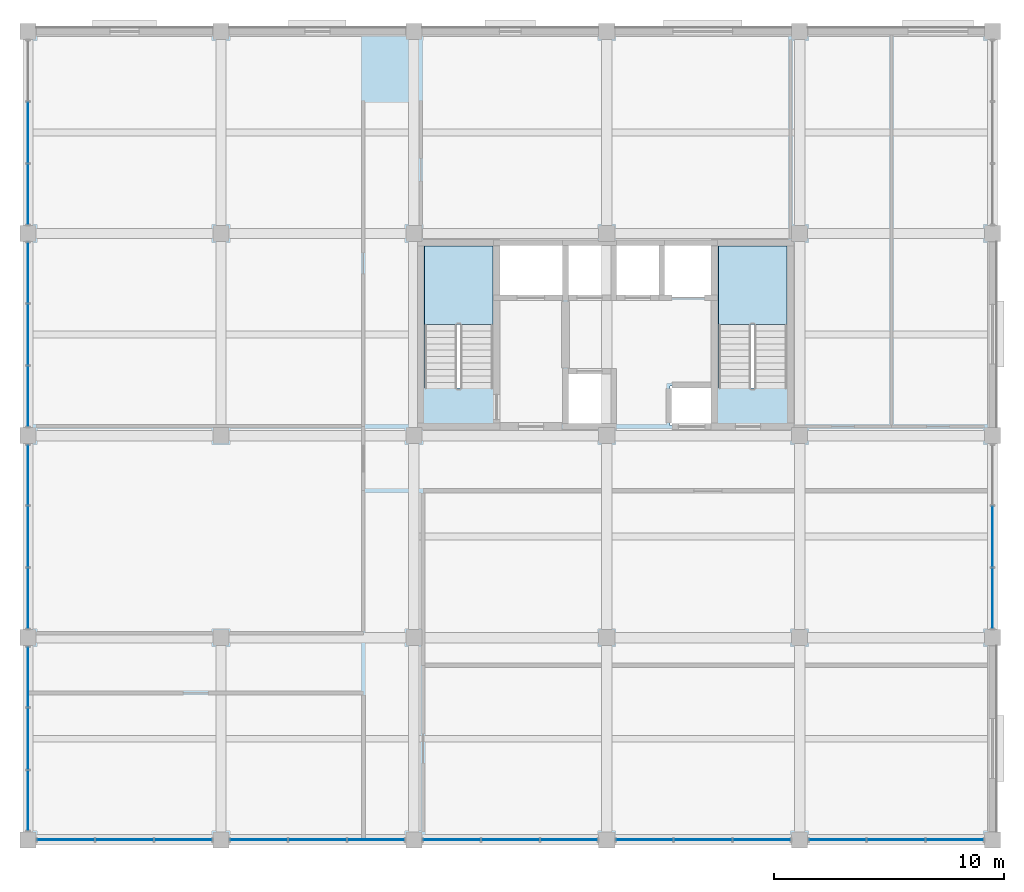
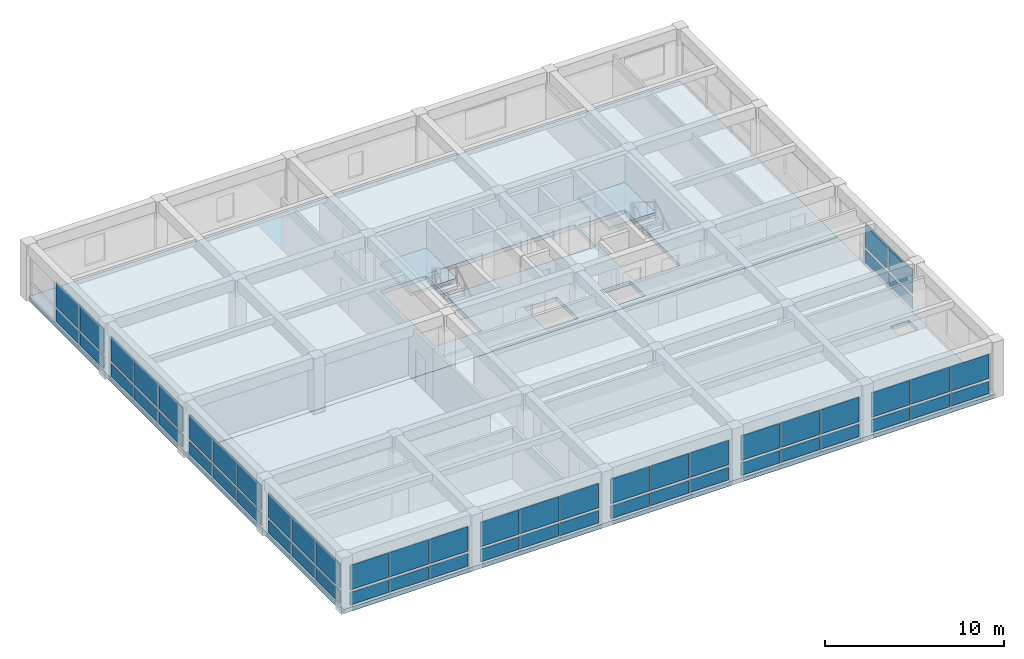
# One storey, part 8 of 13: 56 plates, 4 slabs, 12 elements without a shape of their own.
"""IFC4 building model written with IfcOpenShell, lengths in metres."""

from ifc_helpers import new_model, si_unit, direction, frame, origin, origin_2d, place, context, subcontext, project, spatial, polyline, rectangle, outline, extrude, material, layer, layer_set, type_object, element, aggregate, save


model = new_model("IFC4")

# Units and contexts
model_context = context("Model", 3, precision=1e-05, world=origin(), true_north=direction((0.0, 1.0)))
body_context = subcontext(model_context, "Body", "Model", "MODEL_VIEW")
ifc_project = project(units=[si_unit("LENGTHUNIT", "METRE"), si_unit("AREAUNIT", "SQUARE_METRE"), si_unit("VOLUMEUNIT", "CUBIC_METRE"), si_unit("PLANEANGLEUNIT", "RADIAN"), si_unit("MASSUNIT", "GRAM", prefix="KILO")], contexts=[model_context])

# Site, building, storey
site_placement = place(None, origin())
site = spatial("IfcSite", under=ifc_project, at=site_placement, CompositionType="ELEMENT")
building_placement = place(site_placement, origin())
building = spatial("IfcBuilding", under=site, at=building_placement, Name="Kemercrest Conservatory and Botanical Centre", CompositionType="ELEMENT")
storey_placement = place(building_placement, frame((0.0, 0.0, 36.800048828125)))
storey = spatial("IfcBuildingStorey", under=building, at=storey_placement, Name="L09", CompositionType="ELEMENT", Elevation=36.800048828125)

# Curtain wall, plates
ifc_material_1 = material(Name="Thermally broken aluminium and triple low-e glazing", Category="aluminium")
curtain_wall_type_1 = type_object("IfcCurtainWallType", Name="CW-11", PredefinedType="USERDEFINED", material=ifc_material_1)
curtain_wall_1_placement = place(storey_placement, origin())
curtain_wall_1 = element("IfcCurtainWall", 1, at=curtain_wall_1_placement, inside=storey, type_object=curtain_wall_type_1, Name="Unitised curtain wall CW-11 (CW:L09:V4-100)", ObjectType="UNITISED CURTAIN WALL", PredefinedType="USERDEFINED")
ifc_material_2 = material(Name="Triple low-e argon insulated glazing unit", Category="glass")
ifc_layer_1 = layer(ifc_material_2, 0.035888671875)
ifc_layer_set_1 = layer_set([ifc_layer_1], Name="Triple low-e argon insulated glazing unit")
plate_type = type_object("IfcPlateType", Name="CW-PNL036", PredefinedType="CURTAIN_PANEL", material=ifc_layer_set_1)
plate_1_placement = place(storey_placement, frame((135.646240234375, 87.199951171875, 0.179931640625), z_axis=(0.0, 0.0, 1.0), x_axis=(1.0, 0.0, 0.0)))
plate_1 = element("IfcPlate", 2, at=plate_1_placement, type_object=plate_type, Name="CW-11 panel 1.1", PredefinedType="CURTAIN_PANEL", context=body_context, shape_type="SweptSolid", body=[
    extrude(rectangle(XDim=2.472412109375, YDim=0.035888671875, at=origin_2d()), origin(), (0.0, 0.0, 1.0), 0.85009765625),
])
plate_2_placement = place(storey_placement, frame((135.646240234375, 87.199951171875, 1.2099609375), z_axis=(0.0, 0.0, 1.0), x_axis=(1.0, 0.0, 0.0)))
plate_2 = element("IfcPlate", 3, at=plate_2_placement, type_object=plate_type, Name="CW-11 panel 1.2", PredefinedType="CURTAIN_PANEL", context=body_context, shape_type="SweptSolid", body=[
    extrude(rectangle(XDim=2.472412109375, YDim=0.035888671875, at=origin_2d()), origin(), (0.0, 0.0, 1.0), 1.6650390625),
])
plate_3_placement = place(storey_placement, frame((138.199951171875, 87.199951171875, 0.179931640625), z_axis=(0.0, 0.0, 1.0), x_axis=(1.0, 0.0, 0.0)))
plate_3 = element("IfcPlate", 4, at=plate_3_placement, type_object=plate_type, Name="CW-11 panel 2.1", PredefinedType="CURTAIN_PANEL", context=body_context, shape_type="SweptSolid", body=[
    extrude(rectangle(XDim=2.5048828125, YDim=0.035888671875, at=origin_2d()), origin(), (0.0, 0.0, 1.0), 0.85009765625),
])
plate_4_placement = place(storey_placement, frame((138.199951171875, 87.199951171875, 1.2099609375), z_axis=(0.0, 0.0, 1.0), x_axis=(1.0, 0.0, 0.0)))
plate_4 = element("IfcPlate", 5, at=plate_4_placement, type_object=plate_type, Name="CW-11 panel 2.2", PredefinedType="CURTAIN_PANEL", context=body_context, shape_type="SweptSolid", body=[
    extrude(rectangle(XDim=2.5048828125, YDim=0.035888671875, at=origin_2d()), origin(), (0.0, 0.0, 1.0), 1.6650390625),
])
plate_5_placement = place(storey_placement, frame((140.753662109375, 87.199951171875, 0.179931640625), z_axis=(0.0, 0.0, 1.0), x_axis=(1.0, 0.0, 0.0)))
plate_5 = element("IfcPlate", 6, at=plate_5_placement, type_object=plate_type, Name="CW-11 panel 3.1", PredefinedType="CURTAIN_PANEL", context=body_context, shape_type="SweptSolid", body=[
    extrude(rectangle(XDim=2.472412109375, YDim=0.035888671875, at=origin_2d()), origin(), (0.0, 0.0, 1.0), 0.85009765625),
])
plate_6_placement = place(storey_placement, frame((140.753662109375, 87.199951171875, 1.2099609375), z_axis=(0.0, 0.0, 1.0), x_axis=(1.0, 0.0, 0.0)))
plate_6 = element("IfcPlate", 7, at=plate_6_placement, type_object=plate_type, Name="CW-11 panel 3.2", PredefinedType="CURTAIN_PANEL", context=body_context, shape_type="SweptSolid", body=[
    extrude(rectangle(XDim=2.472412109375, YDim=0.035888671875, at=origin_2d()), origin(), (0.0, 0.0, 1.0), 1.6650390625),
])
aggregate(curtain_wall_1, [plate_1, plate_2, plate_3, plate_4, plate_5, plate_6])

curtain_wall_type_2 = type_object("IfcCurtainWallType", Name="CW-12", PredefinedType="USERDEFINED", material=ifc_material_1)
curtain_wall_2_placement = place(storey_placement, origin())
curtain_wall_2 = element("IfcCurtainWall", 8, at=curtain_wall_2_placement, inside=storey, type_object=curtain_wall_type_2, Name="Unitised curtain wall CW-12 (CW:L09:V4-101)", ObjectType="UNITISED CURTAIN WALL", PredefinedType="USERDEFINED")
plate_7_placement = place(storey_placement, frame((144.046142578125, 87.199951171875, 0.179931640625), z_axis=(0.0, 0.0, 1.0), x_axis=(1.0, 0.0, 0.0)))
plate_7 = element("IfcPlate", 9, at=plate_7_placement, type_object=plate_type, Name="CW-12 panel 1.1", PredefinedType="CURTAIN_PANEL", context=body_context, shape_type="SweptSolid", body=[
    extrude(rectangle(XDim=2.472412109375, YDim=0.035888671875, at=origin_2d()), origin(), (0.0, 0.0, 1.0), 0.85009765625),
])
plate_8_placement = place(storey_placement, frame((144.046142578125, 87.199951171875, 1.2099609375), z_axis=(0.0, 0.0, 1.0), x_axis=(1.0, 0.0, 0.0)))
plate_8 = element("IfcPlate", 10, at=plate_8_placement, type_object=plate_type, Name="CW-12 panel 1.2", PredefinedType="CURTAIN_PANEL", context=body_context, shape_type="SweptSolid", body=[
    extrude(rectangle(XDim=2.472412109375, YDim=0.035888671875, at=origin_2d()), origin(), (0.0, 0.0, 1.0), 1.6650390625),
])
plate_9_placement = place(storey_placement, frame((146.60009765625, 87.199951171875, 0.179931640625), z_axis=(0.0, 0.0, 1.0), x_axis=(1.0, 0.0, 0.0)))
plate_9 = element("IfcPlate", 11, at=plate_9_placement, type_object=plate_type, Name="CW-12 panel 2.1", PredefinedType="CURTAIN_PANEL", context=body_context, shape_type="SweptSolid", body=[
    extrude(rectangle(XDim=2.5048828125, YDim=0.035888671875, at=origin_2d()), origin(), (0.0, 0.0, 1.0), 0.85009765625),
])
plate_10_placement = place(storey_placement, frame((146.60009765625, 87.199951171875, 1.2099609375), z_axis=(0.0, 0.0, 1.0), x_axis=(1.0, 0.0, 0.0)))
plate_10 = element("IfcPlate", 12, at=plate_10_placement, type_object=plate_type, Name="CW-12 panel 2.2", PredefinedType="CURTAIN_PANEL", context=body_context, shape_type="SweptSolid", body=[
    extrude(rectangle(XDim=2.5048828125, YDim=0.035888671875, at=origin_2d()), origin(), (0.0, 0.0, 1.0), 1.6650390625),
])
plate_11_placement = place(storey_placement, frame((149.15380859375, 87.199951171875, 0.179931640625), z_axis=(0.0, 0.0, 1.0), x_axis=(1.0, 0.0, 0.0)))
plate_11 = element("IfcPlate", 13, at=plate_11_placement, type_object=plate_type, Name="CW-12 panel 3.1", PredefinedType="CURTAIN_PANEL", context=body_context, shape_type="SweptSolid", body=[
    extrude(rectangle(XDim=2.472412109375, YDim=0.035888671875, at=origin_2d()), origin(), (0.0, 0.0, 1.0), 0.85009765625),
])
plate_12_placement = place(storey_placement, frame((149.15380859375, 87.199951171875, 1.2099609375), z_axis=(0.0, 0.0, 1.0), x_axis=(1.0, 0.0, 0.0)))
plate_12 = element("IfcPlate", 14, at=plate_12_placement, type_object=plate_type, Name="CW-12 panel 3.2", PredefinedType="CURTAIN_PANEL", context=body_context, shape_type="SweptSolid", body=[
    extrude(rectangle(XDim=2.472412109375, YDim=0.035888671875, at=origin_2d()), origin(), (0.0, 0.0, 1.0), 1.6650390625),
])
aggregate(curtain_wall_2, [plate_7, plate_8, plate_9, plate_10, plate_11, plate_12])

curtain_wall_type_3 = type_object("IfcCurtainWallType", Name="CW-13", PredefinedType="USERDEFINED", material=ifc_material_1)
curtain_wall_3_placement = place(storey_placement, origin())
curtain_wall_3 = element("IfcCurtainWall", 15, at=curtain_wall_3_placement, inside=storey, type_object=curtain_wall_type_3, Name="Unitised curtain wall CW-13 (CW:L09:V4-102)", ObjectType="UNITISED CURTAIN WALL", PredefinedType="USERDEFINED")
plate_13_placement = place(storey_placement, frame((152.4462890625, 87.199951171875, 0.179931640625), z_axis=(0.0, 0.0, 1.0), x_axis=(1.0, 0.0, 0.0)))
plate_13 = element("IfcPlate", 16, at=plate_13_placement, type_object=plate_type, Name="CW-13 panel 1.1", PredefinedType="CURTAIN_PANEL", context=body_context, shape_type="SweptSolid", body=[
    extrude(rectangle(XDim=2.472412109375, YDim=0.035888671875, at=origin_2d()), origin(), (0.0, 0.0, 1.0), 0.85009765625),
])
plate_14_placement = place(storey_placement, frame((152.4462890625, 87.199951171875, 1.2099609375), z_axis=(0.0, 0.0, 1.0), x_axis=(1.0, 0.0, 0.0)))
plate_14 = element("IfcPlate", 17, at=plate_14_placement, type_object=plate_type, Name="CW-13 panel 1.2", PredefinedType="CURTAIN_PANEL", context=body_context, shape_type="SweptSolid", body=[
    extrude(rectangle(XDim=2.472412109375, YDim=0.035888671875, at=origin_2d()), origin(), (0.0, 0.0, 1.0), 1.6650390625),
])
plate_15_placement = place(storey_placement, frame((155.0, 87.199951171875, 0.179931640625), z_axis=(0.0, 0.0, 1.0), x_axis=(1.0, 0.0, 0.0)))
plate_15 = element("IfcPlate", 18, at=plate_15_placement, type_object=plate_type, Name="CW-13 panel 2.1", PredefinedType="CURTAIN_PANEL", context=body_context, shape_type="SweptSolid", body=[
    extrude(rectangle(XDim=2.5048828125, YDim=0.035888671875, at=origin_2d()), origin(), (0.0, 0.0, 1.0), 0.85009765625),
])
plate_16_placement = place(storey_placement, frame((155.0, 87.199951171875, 1.2099609375), z_axis=(0.0, 0.0, 1.0), x_axis=(1.0, 0.0, 0.0)))
plate_16 = element("IfcPlate", 19, at=plate_16_placement, type_object=plate_type, Name="CW-13 panel 2.2", PredefinedType="CURTAIN_PANEL", context=body_context, shape_type="SweptSolid", body=[
    extrude(rectangle(XDim=2.5048828125, YDim=0.035888671875, at=origin_2d()), origin(), (0.0, 0.0, 1.0), 1.6650390625),
])
plate_17_placement = place(storey_placement, frame((157.5537109375, 87.199951171875, 0.179931640625), z_axis=(0.0, 0.0, 1.0), x_axis=(1.0, 0.0, 0.0)))
plate_17 = element("IfcPlate", 20, at=plate_17_placement, type_object=plate_type, Name="CW-13 panel 3.1", PredefinedType="CURTAIN_PANEL", context=body_context, shape_type="SweptSolid", body=[
    extrude(rectangle(XDim=2.472412109375, YDim=0.035888671875, at=origin_2d()), origin(), (0.0, 0.0, 1.0), 0.85009765625),
])
plate_18_placement = place(storey_placement, frame((157.5537109375, 87.199951171875, 1.2099609375), z_axis=(0.0, 0.0, 1.0), x_axis=(1.0, 0.0, 0.0)))
plate_18 = element("IfcPlate", 21, at=plate_18_placement, type_object=plate_type, Name="CW-13 panel 3.2", PredefinedType="CURTAIN_PANEL", context=body_context, shape_type="SweptSolid", body=[
    extrude(rectangle(XDim=2.472412109375, YDim=0.035888671875, at=origin_2d()), origin(), (0.0, 0.0, 1.0), 1.6650390625),
])
aggregate(curtain_wall_3, [plate_13, plate_14, plate_15, plate_16, plate_17, plate_18])

curtain_wall_type_4 = type_object("IfcCurtainWallType", Name="CW-14", PredefinedType="USERDEFINED", material=ifc_material_1)
curtain_wall_4_placement = place(storey_placement, origin())
curtain_wall_4 = element("IfcCurtainWall", 22, at=curtain_wall_4_placement, inside=storey, type_object=curtain_wall_type_4, Name="Unitised curtain wall CW-14 (CW:L09:V4-103)", ObjectType="UNITISED CURTAIN WALL", PredefinedType="USERDEFINED")
plate_19_placement = place(storey_placement, frame((160.84619140625, 87.199951171875, 0.179931640625), z_axis=(0.0, 0.0, 1.0), x_axis=(1.0, 0.0, 0.0)))
plate_19 = element("IfcPlate", 23, at=plate_19_placement, type_object=plate_type, Name="CW-14 panel 1.1", PredefinedType="CURTAIN_PANEL", context=body_context, shape_type="SweptSolid", body=[
    extrude(rectangle(XDim=2.472412109375, YDim=0.035888671875, at=origin_2d()), origin(), (0.0, 0.0, 1.0), 0.85009765625),
])
plate_20_placement = place(storey_placement, frame((160.84619140625, 87.199951171875, 1.2099609375), z_axis=(0.0, 0.0, 1.0), x_axis=(1.0, 0.0, 0.0)))
plate_20 = element("IfcPlate", 24, at=plate_20_placement, type_object=plate_type, Name="CW-14 panel 1.2", PredefinedType="CURTAIN_PANEL", context=body_context, shape_type="SweptSolid", body=[
    extrude(rectangle(XDim=2.472412109375, YDim=0.035888671875, at=origin_2d()), origin(), (0.0, 0.0, 1.0), 1.6650390625),
])
plate_21_placement = place(storey_placement, frame((163.39990234375, 87.199951171875, 0.179931640625), z_axis=(0.0, 0.0, 1.0), x_axis=(1.0, 0.0, 0.0)))
plate_21 = element("IfcPlate", 25, at=plate_21_placement, type_object=plate_type, Name="CW-14 panel 2.1", PredefinedType="CURTAIN_PANEL", context=body_context, shape_type="SweptSolid", body=[
    extrude(rectangle(XDim=2.5048828125, YDim=0.035888671875, at=origin_2d()), origin(), (0.0, 0.0, 1.0), 0.85009765625),
])
plate_22_placement = place(storey_placement, frame((163.39990234375, 87.199951171875, 1.2099609375), z_axis=(0.0, 0.0, 1.0), x_axis=(1.0, 0.0, 0.0)))
plate_22 = element("IfcPlate", 26, at=plate_22_placement, type_object=plate_type, Name="CW-14 panel 2.2", PredefinedType="CURTAIN_PANEL", context=body_context, shape_type="SweptSolid", body=[
    extrude(rectangle(XDim=2.5048828125, YDim=0.035888671875, at=origin_2d()), origin(), (0.0, 0.0, 1.0), 1.6650390625),
])
plate_23_placement = place(storey_placement, frame((165.953857421875, 87.199951171875, 0.179931640625), z_axis=(0.0, 0.0, 1.0), x_axis=(1.0, 0.0, 0.0)))
plate_23 = element("IfcPlate", 27, at=plate_23_placement, type_object=plate_type, Name="CW-14 panel 3.1", PredefinedType="CURTAIN_PANEL", context=body_context, shape_type="SweptSolid", body=[
    extrude(rectangle(XDim=2.472412109375, YDim=0.035888671875, at=origin_2d()), origin(), (0.0, 0.0, 1.0), 0.85009765625),
])
plate_24_placement = place(storey_placement, frame((165.953857421875, 87.199951171875, 1.2099609375), z_axis=(0.0, 0.0, 1.0), x_axis=(1.0, 0.0, 0.0)))
plate_24 = element("IfcPlate", 28, at=plate_24_placement, type_object=plate_type, Name="CW-14 panel 3.2", PredefinedType="CURTAIN_PANEL", context=body_context, shape_type="SweptSolid", body=[
    extrude(rectangle(XDim=2.472412109375, YDim=0.035888671875, at=origin_2d()), origin(), (0.0, 0.0, 1.0), 1.6650390625),
])
aggregate(curtain_wall_4, [plate_19, plate_20, plate_21, plate_22, plate_23, plate_24])

curtain_wall_type_5 = type_object("IfcCurtainWallType", Name="CW-15", PredefinedType="USERDEFINED", material=ifc_material_1)
curtain_wall_5_placement = place(storey_placement, origin())
curtain_wall_5 = element("IfcCurtainWall", 29, at=curtain_wall_5_placement, inside=storey, type_object=curtain_wall_type_5, Name="Unitised curtain wall CW-15 (CW:L09:V4-104)", ObjectType="UNITISED CURTAIN WALL", PredefinedType="USERDEFINED")
plate_25_placement = place(storey_placement, frame((169.246337890625, 87.199951171875, 0.179931640625), z_axis=(0.0, 0.0, 1.0), x_axis=(1.0, 0.0, 0.0)))
plate_25 = element("IfcPlate", 30, at=plate_25_placement, type_object=plate_type, Name="CW-15 panel 1.1", PredefinedType="CURTAIN_PANEL", context=body_context, shape_type="SweptSolid", body=[
    extrude(rectangle(XDim=2.472412109375, YDim=0.035888671875, at=origin_2d()), origin(), (0.0, 0.0, 1.0), 0.85009765625),
])
plate_26_placement = place(storey_placement, frame((169.246337890625, 87.199951171875, 1.2099609375), z_axis=(0.0, 0.0, 1.0), x_axis=(1.0, 0.0, 0.0)))
plate_26 = element("IfcPlate", 31, at=plate_26_placement, type_object=plate_type, Name="CW-15 panel 1.2", PredefinedType="CURTAIN_PANEL", context=body_context, shape_type="SweptSolid", body=[
    extrude(rectangle(XDim=2.472412109375, YDim=0.035888671875, at=origin_2d()), origin(), (0.0, 0.0, 1.0), 1.6650390625),
])
plate_27_placement = place(storey_placement, frame((171.800048828125, 87.199951171875, 0.179931640625), z_axis=(0.0, 0.0, 1.0), x_axis=(1.0, 0.0, 0.0)))
plate_27 = element("IfcPlate", 32, at=plate_27_placement, type_object=plate_type, Name="CW-15 panel 2.1", PredefinedType="CURTAIN_PANEL", context=body_context, shape_type="SweptSolid", body=[
    extrude(rectangle(XDim=2.5048828125, YDim=0.035888671875, at=origin_2d()), origin(), (0.0, 0.0, 1.0), 0.85009765625),
])
plate_28_placement = place(storey_placement, frame((171.800048828125, 87.199951171875, 1.2099609375), z_axis=(0.0, 0.0, 1.0), x_axis=(1.0, 0.0, 0.0)))
plate_28 = element("IfcPlate", 33, at=plate_28_placement, type_object=plate_type, Name="CW-15 panel 2.2", PredefinedType="CURTAIN_PANEL", context=body_context, shape_type="SweptSolid", body=[
    extrude(rectangle(XDim=2.5048828125, YDim=0.035888671875, at=origin_2d()), origin(), (0.0, 0.0, 1.0), 1.6650390625),
])
plate_29_placement = place(storey_placement, frame((174.353759765625, 87.199951171875, 0.179931640625), z_axis=(0.0, 0.0, 1.0), x_axis=(1.0, 0.0, 0.0)))
plate_29 = element("IfcPlate", 34, at=plate_29_placement, type_object=plate_type, Name="CW-15 panel 3.1", PredefinedType="CURTAIN_PANEL", context=body_context, shape_type="SweptSolid", body=[
    extrude(rectangle(XDim=2.472412109375, YDim=0.035888671875, at=origin_2d()), origin(), (0.0, 0.0, 1.0), 0.85009765625),
])
plate_30_placement = place(storey_placement, frame((174.353759765625, 87.199951171875, 1.2099609375), z_axis=(0.0, 0.0, 1.0), x_axis=(1.0, 0.0, 0.0)))
plate_30 = element("IfcPlate", 35, at=plate_30_placement, type_object=plate_type, Name="CW-15 panel 3.2", PredefinedType="CURTAIN_PANEL", context=body_context, shape_type="SweptSolid", body=[
    extrude(rectangle(XDim=2.472412109375, YDim=0.035888671875, at=origin_2d()), origin(), (0.0, 0.0, 1.0), 1.6650390625),
])
aggregate(curtain_wall_5, [plate_25, plate_26, plate_27, plate_28, plate_29, plate_30])

curtain_wall_type_6 = type_object("IfcCurtainWallType", Name="CW-16", PredefinedType="USERDEFINED", material=ifc_material_1)
curtain_wall_6_placement = place(storey_placement, origin())
curtain_wall_6 = element("IfcCurtainWall", 36, at=curtain_wall_6_placement, inside=storey, type_object=curtain_wall_type_6, Name="Unitised curtain wall CW-16 (CW:L09:V4-105)", ObjectType="UNITISED CURTAIN WALL", PredefinedType="USERDEFINED")
plate_31_placement = place(storey_placement, frame((176.0, 97.712890625, 0.179931640625), z_axis=(0.0, 0.0, 1.0), x_axis=(0.0, 1.0, 0.0)))
plate_31 = element("IfcPlate", 37, at=plate_31_placement, type_object=plate_type, Name="CW-16 panel 1.1", PredefinedType="CURTAIN_PANEL", context=body_context, shape_type="SweptSolid", body=[
    extrude(rectangle(XDim=2.605712890625, YDim=0.035888671875, at=origin_2d()), origin(), (0.0, 0.0, 1.0), 0.85009765625),
])
plate_32_placement = place(storey_placement, frame((176.0, 97.712890625, 1.2099609375), z_axis=(0.0, 0.0, 1.0), x_axis=(0.0, 1.0, 0.0)))
plate_32 = element("IfcPlate", 38, at=plate_32_placement, type_object=plate_type, Name="CW-16 panel 1.2", PredefinedType="CURTAIN_PANEL", context=body_context, shape_type="SweptSolid", body=[
    extrude(rectangle(XDim=2.605712890625, YDim=0.035888671875, at=origin_2d()), origin(), (0.0, 0.0, 1.0), 1.6650390625),
])
plate_33_placement = place(storey_placement, frame((176.0, 100.39990234375, 0.179931640625), z_axis=(0.0, 0.0, 1.0), x_axis=(0.0, 1.0, 0.0)))
plate_33 = element("IfcPlate", 39, at=plate_33_placement, type_object=plate_type, Name="CW-16 panel 2.1", PredefinedType="CURTAIN_PANEL", context=body_context, shape_type="SweptSolid", body=[
    extrude(rectangle(XDim=2.638427734375, YDim=0.035888671875, at=origin_2d()), origin(), (0.0, 0.0, 1.0), 0.85009765625),
])
plate_34_placement = place(storey_placement, frame((176.0, 100.39990234375, 1.2099609375), z_axis=(0.0, 0.0, 1.0), x_axis=(0.0, 1.0, 0.0)))
plate_34 = element("IfcPlate", 40, at=plate_34_placement, type_object=plate_type, Name="CW-16 panel 2.2", PredefinedType="CURTAIN_PANEL", context=body_context, shape_type="SweptSolid", body=[
    extrude(rectangle(XDim=2.638427734375, YDim=0.035888671875, at=origin_2d()), origin(), (0.0, 0.0, 1.0), 1.6650390625),
])
aggregate(curtain_wall_6, [plate_31, plate_32, plate_33, plate_34])

curtain_wall_type_7 = type_object("IfcCurtainWallType", Name="CW-18", PredefinedType="USERDEFINED", material=ifc_material_1)
curtain_wall_7_placement = place(storey_placement, origin())
curtain_wall_7 = element("IfcCurtainWall", 41, at=curtain_wall_7_placement, inside=storey, type_object=curtain_wall_type_7, Name="Unitised curtain wall CW-18 (CW:L09:V4-107)", ObjectType="UNITISED CURTAIN WALL", PredefinedType="USERDEFINED")
plate_35_placement = place(storey_placement, frame((134.0, 118.0, 0.179931640625), z_axis=(0.0, 0.0, 1.0), x_axis=(0.0, -1.0, 0.0)))
plate_35 = element("IfcPlate", 42, at=plate_35_placement, type_object=plate_type, Name="CW-18 panel 2.1", PredefinedType="CURTAIN_PANEL", context=body_context, shape_type="SweptSolid", body=[
    extrude(rectangle(XDim=2.638427734375, YDim=0.035888671875, at=origin_2d()), origin(), (0.0, 0.0, 1.0), 0.85009765625),
])
plate_36_placement = place(storey_placement, frame((134.0, 118.0, 1.2099609375), z_axis=(0.0, 0.0, 1.0), x_axis=(0.0, -1.0, 0.0)))
plate_36 = element("IfcPlate", 43, at=plate_36_placement, type_object=plate_type, Name="CW-18 panel 2.2", PredefinedType="CURTAIN_PANEL", context=body_context, shape_type="SweptSolid", body=[
    extrude(rectangle(XDim=2.638427734375, YDim=0.035888671875, at=origin_2d()), origin(), (0.0, 0.0, 1.0), 1.6650390625),
])
plate_37_placement = place(storey_placement, frame((134.0, 115.31298828125, 0.179931640625), z_axis=(0.0, 0.0, 1.0), x_axis=(0.0, -1.0, 0.0)))
plate_37 = element("IfcPlate", 44, at=plate_37_placement, type_object=plate_type, Name="CW-18 panel 3.1", PredefinedType="CURTAIN_PANEL", context=body_context, shape_type="SweptSolid", body=[
    extrude(rectangle(XDim=2.605712890625, YDim=0.035888671875, at=origin_2d()), origin(), (0.0, 0.0, 1.0), 0.85009765625),
])
plate_38_placement = place(storey_placement, frame((134.0, 115.31298828125, 1.2099609375), z_axis=(0.0, 0.0, 1.0), x_axis=(0.0, -1.0, 0.0)))
plate_38 = element("IfcPlate", 45, at=plate_38_placement, type_object=plate_type, Name="CW-18 panel 3.2", PredefinedType="CURTAIN_PANEL", context=body_context, shape_type="SweptSolid", body=[
    extrude(rectangle(XDim=2.605712890625, YDim=0.035888671875, at=origin_2d()), origin(), (0.0, 0.0, 1.0), 1.6650390625),
])
aggregate(curtain_wall_7, [plate_35, plate_36, plate_37, plate_38])

curtain_wall_type_8 = type_object("IfcCurtainWallType", Name="CW-19", PredefinedType="USERDEFINED", material=ifc_material_1)
curtain_wall_8_placement = place(storey_placement, origin())
curtain_wall_8 = element("IfcCurtainWall", 46, at=curtain_wall_8_placement, inside=storey, type_object=curtain_wall_type_8, Name="Unitised curtain wall CW-19 (CW:L09:V4-108)", ObjectType="UNITISED CURTAIN WALL", PredefinedType="USERDEFINED")
plate_39_placement = place(storey_placement, frame((134.0, 111.886962890625, 0.179931640625), z_axis=(0.0, 0.0, 1.0), x_axis=(0.0, -1.0, 0.0)))
plate_39 = element("IfcPlate", 47, at=plate_39_placement, type_object=plate_type, Name="CW-19 panel 1.1", PredefinedType="CURTAIN_PANEL", context=body_context, shape_type="SweptSolid", body=[
    extrude(rectangle(XDim=2.605712890625, YDim=0.035888671875, at=origin_2d()), origin(), (0.0, 0.0, 1.0), 0.85009765625),
])
plate_40_placement = place(storey_placement, frame((134.0, 111.886962890625, 1.2099609375), z_axis=(0.0, 0.0, 1.0), x_axis=(0.0, -1.0, 0.0)))
plate_40 = element("IfcPlate", 48, at=plate_40_placement, type_object=plate_type, Name="CW-19 panel 1.2", PredefinedType="CURTAIN_PANEL", context=body_context, shape_type="SweptSolid", body=[
    extrude(rectangle(XDim=2.605712890625, YDim=0.035888671875, at=origin_2d()), origin(), (0.0, 0.0, 1.0), 1.6650390625),
])
plate_41_placement = place(storey_placement, frame((134.0, 109.199951171875, 0.179931640625), z_axis=(0.0, 0.0, 1.0), x_axis=(0.0, -1.0, 0.0)))
plate_41 = element("IfcPlate", 49, at=plate_41_placement, type_object=plate_type, Name="CW-19 panel 2.1", PredefinedType="CURTAIN_PANEL", context=body_context, shape_type="SweptSolid", body=[
    extrude(rectangle(XDim=2.638427734375, YDim=0.035888671875, at=origin_2d()), origin(), (0.0, 0.0, 1.0), 0.85009765625),
])
plate_42_placement = place(storey_placement, frame((134.0, 109.199951171875, 1.2099609375), z_axis=(0.0, 0.0, 1.0), x_axis=(0.0, -1.0, 0.0)))
plate_42 = element("IfcPlate", 50, at=plate_42_placement, type_object=plate_type, Name="CW-19 panel 2.2", PredefinedType="CURTAIN_PANEL", context=body_context, shape_type="SweptSolid", body=[
    extrude(rectangle(XDim=2.638427734375, YDim=0.035888671875, at=origin_2d()), origin(), (0.0, 0.0, 1.0), 1.6650390625),
])
plate_43_placement = place(storey_placement, frame((134.0, 106.512939453125, 0.179931640625), z_axis=(0.0, 0.0, 1.0), x_axis=(0.0, -1.0, 0.0)))
plate_43 = element("IfcPlate", 51, at=plate_43_placement, type_object=plate_type, Name="CW-19 panel 3.1", PredefinedType="CURTAIN_PANEL", context=body_context, shape_type="SweptSolid", body=[
    extrude(rectangle(XDim=2.605712890625, YDim=0.035888671875, at=origin_2d()), origin(), (0.0, 0.0, 1.0), 0.85009765625),
])
plate_44_placement = place(storey_placement, frame((134.0, 106.512939453125, 1.2099609375), z_axis=(0.0, 0.0, 1.0), x_axis=(0.0, -1.0, 0.0)))
plate_44 = element("IfcPlate", 52, at=plate_44_placement, type_object=plate_type, Name="CW-19 panel 3.2", PredefinedType="CURTAIN_PANEL", context=body_context, shape_type="SweptSolid", body=[
    extrude(rectangle(XDim=2.605712890625, YDim=0.035888671875, at=origin_2d()), origin(), (0.0, 0.0, 1.0), 1.6650390625),
])
aggregate(curtain_wall_8, [plate_39, plate_40, plate_41, plate_42, plate_43, plate_44])

curtain_wall_type_9 = type_object("IfcCurtainWallType", Name="CW-20", PredefinedType="USERDEFINED", material=ifc_material_1)
curtain_wall_9_placement = place(storey_placement, origin())
curtain_wall_9 = element("IfcCurtainWall", 53, at=curtain_wall_9_placement, inside=storey, type_object=curtain_wall_type_9, Name="Unitised curtain wall CW-20 (CW:L09:V4-109)", ObjectType="UNITISED CURTAIN WALL", PredefinedType="USERDEFINED")
plate_45_placement = place(storey_placement, frame((134.0, 103.087158203125, 0.179931640625), z_axis=(0.0, 0.0, 1.0), x_axis=(0.0, -1.0, 0.0)))
plate_45 = element("IfcPlate", 54, at=plate_45_placement, type_object=plate_type, Name="CW-20 panel 1.1", PredefinedType="CURTAIN_PANEL", context=body_context, shape_type="SweptSolid", body=[
    extrude(rectangle(XDim=2.605712890625, YDim=0.035888671875, at=origin_2d()), origin(), (0.0, 0.0, 1.0), 0.85009765625),
])
plate_46_placement = place(storey_placement, frame((134.0, 103.087158203125, 1.2099609375), z_axis=(0.0, 0.0, 1.0), x_axis=(0.0, -1.0, 0.0)))
plate_46 = element("IfcPlate", 55, at=plate_46_placement, type_object=plate_type, Name="CW-20 panel 1.2", PredefinedType="CURTAIN_PANEL", context=body_context, shape_type="SweptSolid", body=[
    extrude(rectangle(XDim=2.605712890625, YDim=0.035888671875, at=origin_2d()), origin(), (0.0, 0.0, 1.0), 1.6650390625),
])
plate_47_placement = place(storey_placement, frame((134.0, 100.39990234375, 0.179931640625), z_axis=(0.0, 0.0, 1.0), x_axis=(0.0, -1.0, 0.0)))
plate_47 = element("IfcPlate", 56, at=plate_47_placement, type_object=plate_type, Name="CW-20 panel 2.1", PredefinedType="CURTAIN_PANEL", context=body_context, shape_type="SweptSolid", body=[
    extrude(rectangle(XDim=2.638427734375, YDim=0.035888671875, at=origin_2d()), origin(), (0.0, 0.0, 1.0), 0.85009765625),
])
plate_48_placement = place(storey_placement, frame((134.0, 100.39990234375, 1.2099609375), z_axis=(0.0, 0.0, 1.0), x_axis=(0.0, -1.0, 0.0)))
plate_48 = element("IfcPlate", 57, at=plate_48_placement, type_object=plate_type, Name="CW-20 panel 2.2", PredefinedType="CURTAIN_PANEL", context=body_context, shape_type="SweptSolid", body=[
    extrude(rectangle(XDim=2.638427734375, YDim=0.035888671875, at=origin_2d()), origin(), (0.0, 0.0, 1.0), 1.6650390625),
])
plate_49_placement = place(storey_placement, frame((134.0, 97.712890625, 0.179931640625), z_axis=(0.0, 0.0, 1.0), x_axis=(0.0, -1.0, 0.0)))
plate_49 = element("IfcPlate", 58, at=plate_49_placement, type_object=plate_type, Name="CW-20 panel 3.1", PredefinedType="CURTAIN_PANEL", context=body_context, shape_type="SweptSolid", body=[
    extrude(rectangle(XDim=2.605712890625, YDim=0.035888671875, at=origin_2d()), origin(), (0.0, 0.0, 1.0), 0.85009765625),
])
plate_50_placement = place(storey_placement, frame((134.0, 97.712890625, 1.2099609375), z_axis=(0.0, 0.0, 1.0), x_axis=(0.0, -1.0, 0.0)))
plate_50 = element("IfcPlate", 59, at=plate_50_placement, type_object=plate_type, Name="CW-20 panel 3.2", PredefinedType="CURTAIN_PANEL", context=body_context, shape_type="SweptSolid", body=[
    extrude(rectangle(XDim=2.605712890625, YDim=0.035888671875, at=origin_2d()), origin(), (0.0, 0.0, 1.0), 1.6650390625),
])
aggregate(curtain_wall_9, [plate_45, plate_46, plate_47, plate_48, plate_49, plate_50])

curtain_wall_type_10 = type_object("IfcCurtainWallType", Name="CW-21", PredefinedType="USERDEFINED", material=ifc_material_1)
curtain_wall_10_placement = place(storey_placement, origin())
curtain_wall_10 = element("IfcCurtainWall", 60, at=curtain_wall_10_placement, inside=storey, type_object=curtain_wall_type_10, Name="Unitised curtain wall CW-21 (CW:L09:V4-110)", ObjectType="UNITISED CURTAIN WALL", PredefinedType="USERDEFINED")
plate_51_placement = place(storey_placement, frame((134.0, 94.287109375, 0.179931640625), z_axis=(0.0, 0.0, 1.0), x_axis=(0.0, -1.0, 0.0)))
plate_51 = element("IfcPlate", 61, at=plate_51_placement, type_object=plate_type, Name="CW-21 panel 1.1", PredefinedType="CURTAIN_PANEL", context=body_context, shape_type="SweptSolid", body=[
    extrude(rectangle(XDim=2.605712890625, YDim=0.035888671875, at=origin_2d()), origin(), (0.0, 0.0, 1.0), 0.85009765625),
])
plate_52_placement = place(storey_placement, frame((134.0, 94.287109375, 1.2099609375), z_axis=(0.0, 0.0, 1.0), x_axis=(0.0, -1.0, 0.0)))
plate_52 = element("IfcPlate", 62, at=plate_52_placement, type_object=plate_type, Name="CW-21 panel 1.2", PredefinedType="CURTAIN_PANEL", context=body_context, shape_type="SweptSolid", body=[
    extrude(rectangle(XDim=2.605712890625, YDim=0.035888671875, at=origin_2d()), origin(), (0.0, 0.0, 1.0), 1.6650390625),
])
plate_53_placement = place(storey_placement, frame((134.0, 91.60009765625, 0.179931640625), z_axis=(0.0, 0.0, 1.0), x_axis=(0.0, -1.0, 0.0)))
plate_53 = element("IfcPlate", 63, at=plate_53_placement, type_object=plate_type, Name="CW-21 panel 2.1", PredefinedType="CURTAIN_PANEL", context=body_context, shape_type="SweptSolid", body=[
    extrude(rectangle(XDim=2.638427734375, YDim=0.035888671875, at=origin_2d()), origin(), (0.0, 0.0, 1.0), 0.85009765625),
])
plate_54_placement = place(storey_placement, frame((134.0, 91.60009765625, 1.2099609375), z_axis=(0.0, 0.0, 1.0), x_axis=(0.0, -1.0, 0.0)))
plate_54 = element("IfcPlate", 64, at=plate_54_placement, type_object=plate_type, Name="CW-21 panel 2.2", PredefinedType="CURTAIN_PANEL", context=body_context, shape_type="SweptSolid", body=[
    extrude(rectangle(XDim=2.638427734375, YDim=0.035888671875, at=origin_2d()), origin(), (0.0, 0.0, 1.0), 1.6650390625),
])
plate_55_placement = place(storey_placement, frame((134.0, 88.912841796875, 0.179931640625), z_axis=(0.0, 0.0, 1.0), x_axis=(0.0, -1.0, 0.0)))
plate_55 = element("IfcPlate", 65, at=plate_55_placement, type_object=plate_type, Name="CW-21 panel 3.1", PredefinedType="CURTAIN_PANEL", context=body_context, shape_type="SweptSolid", body=[
    extrude(rectangle(XDim=2.605712890625, YDim=0.035888671875, at=origin_2d()), origin(), (0.0, 0.0, 1.0), 0.85009765625),
])
plate_56_placement = place(storey_placement, frame((134.0, 88.912841796875, 1.2099609375), z_axis=(0.0, 0.0, 1.0), x_axis=(0.0, -1.0, 0.0)))
plate_56 = element("IfcPlate", 66, at=plate_56_placement, type_object=plate_type, Name="CW-21 panel 3.2", PredefinedType="CURTAIN_PANEL", context=body_context, shape_type="SweptSolid", body=[
    extrude(rectangle(XDim=2.605712890625, YDim=0.035888671875, at=origin_2d()), origin(), (0.0, 0.0, 1.0), 1.6650390625),
])
aggregate(curtain_wall_10, [plate_51, plate_52, plate_53, plate_54, plate_55, plate_56])

# Slabs
ifc_material_3 = material(Name="Concrete C40/50", Category="concrete")
ifc_layer_2 = layer(ifc_material_3, 0.280029296875)
ifc_layer_set_2 = layer_set([ifc_layer_2], Name="Concrete C40/50")
slab_type_1 = type_object("IfcSlabType", Name="SL-FL280", PredefinedType="FLOOR", material=ifc_layer_set_2)
slab_1_placement = place(storey_placement, frame((0.0, 0.0, -0.280029296875)))
element("IfcSlab", 67, at=slab_1_placement, inside=storey, type_object=slab_type_1, Name="V4 Tower L09 North Core and Studio Slab", PredefinedType="FLOOR", context=body_context, shape_type="SweptSolid", body=[
    extrude(outline(polyline([(134.0, 122.39990234375), (134.0, 104.800048828125), (176.0, 104.800048828125), (176.0, 122.39990234375), (134.0, 122.39990234375)]), holes=[polyline([(164.06005859375, 106.864990234375), (164.06005859375, 113.06005859375), (167.0400390625, 113.06005859375), (167.0400390625, 106.864990234375), (164.06005859375, 106.864990234375)]), polyline([(154.39990234375, 110.800048828125), (154.39990234375, 113.199951171875), (163.89990234375, 113.199951171875), (163.89990234375, 110.800048828125), (154.39990234375, 110.800048828125)]), polyline([(161.949951171875, 105.25), (161.949951171875, 106.949951171875), (163.85009765625, 106.949951171875), (163.85009765625, 105.25), (161.949951171875, 105.25)]), polyline([(157.39990234375, 105.199951171875), (157.39990234375, 107.60009765625), (159.5, 107.60009765625), (159.5, 105.199951171875), (157.39990234375, 105.199951171875)]), polyline([(154.239990234375, 106.864990234375), (151.260009765625, 106.864990234375), (151.260009765625, 113.06005859375), (154.239990234375, 113.06005859375), (154.239990234375, 106.864990234375)])]), origin(), (0.0, 0.0, 1.0), 0.280029296875),
])
slab_2_placement = place(storey_placement, frame((0.0, 0.0, -0.280029296875)))
element("IfcSlab", 68, at=slab_2_placement, inside=storey, type_object=slab_type_1, Name="V4 Tower L09 South Laboratory Slab", PredefinedType="FLOOR", context=body_context, shape_type="SweptSolid", body=[
    extrude(outline(polyline([(134.0, 104.800048828125), (134.0, 87.199951171875), (176.0, 87.199951171875), (176.0, 104.800048828125), (134.0, 104.800048828125)]), holes=[polyline([(175.39990234375, 94.800048828125), (174.199951171875, 94.800048828125), (174.199951171875, 95.800048828125), (175.39990234375, 95.800048828125), (175.39990234375, 94.800048828125)])]), origin(), (0.0, 0.0, 1.0), 0.280029296875),
])

# Stair, slab
stair_type = type_object("IfcStairType", Name="ST-142-38", PredefinedType="HALF_TURN_STAIR", material=ifc_material_3)
stair_1_placement = place(storey_placement, origin())
stair_1 = element("IfcStair", 69, at=stair_1_placement, inside=storey, type_object=stair_type, Name="L09 Exit stair ST-V4A", PredefinedType="HALF_TURN_STAIR")
ifc_layer_3 = layer(ifc_material_3, 0.199951171875)
ifc_layer_set_3 = layer_set([ifc_layer_3], Name="Concrete C40/50")
slab_type_2 = type_object("IfcSlabType", Name="SL-LND200", PredefinedType="LANDING", material=ifc_layer_set_3)
slab_3_placement = place(storey_placement, frame((0.0, 0.0, 1.699951171875)))
slab_3 = element("IfcSlab", 70, at=slab_3_placement, type_object=slab_type_2, Name="ST-V4A landing 1", PredefinedType="LANDING", context=body_context, shape_type="SweptSolid", body=[
    extrude(outline(polyline([(154.239990234375, 109.639892578125), (154.239990234375, 113.06005859375), (151.260009765625, 113.06005859375), (151.260009765625, 109.639892578125), (154.239990234375, 109.639892578125)])), origin(), (0.0, 0.0, 1.0), 0.199951171875),
])
aggregate(stair_1, [slab_3])

stair_2_placement = place(storey_placement, origin())
stair_2 = element("IfcStair", 71, at=stair_2_placement, inside=storey, type_object=stair_type, Name="L09 Exit stair ST-V4B", PredefinedType="HALF_TURN_STAIR")
slab_4_placement = place(storey_placement, frame((0.0, 0.0, 1.699951171875)))
slab_4 = element("IfcSlab", 72, at=slab_4_placement, type_object=slab_type_2, Name="ST-V4B landing 1", PredefinedType="LANDING", context=body_context, shape_type="SweptSolid", body=[
    extrude(outline(polyline([(167.0400390625, 109.639892578125), (167.0400390625, 113.06005859375), (164.06005859375, 113.06005859375), (164.06005859375, 109.639892578125), (167.0400390625, 109.639892578125)])), origin(), (0.0, 0.0, 1.0), 0.199951171875),
])
aggregate(stair_2, [slab_4])

save(model, "model.ifc")
